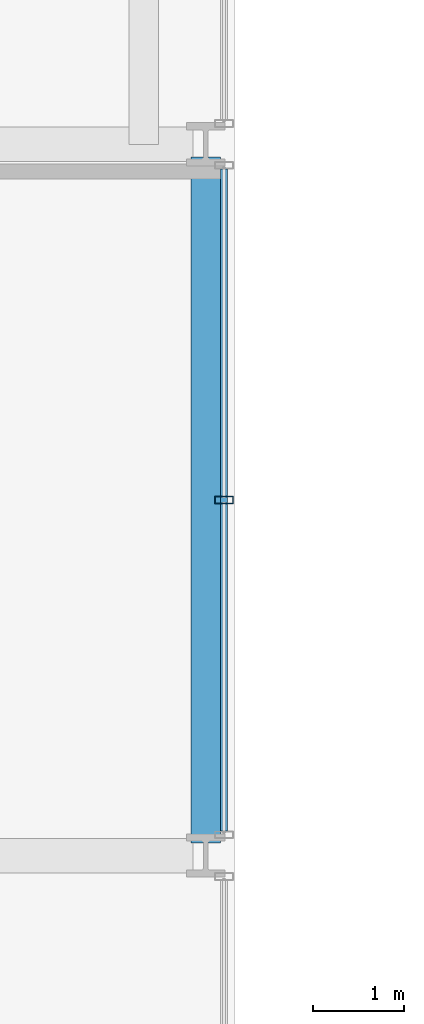
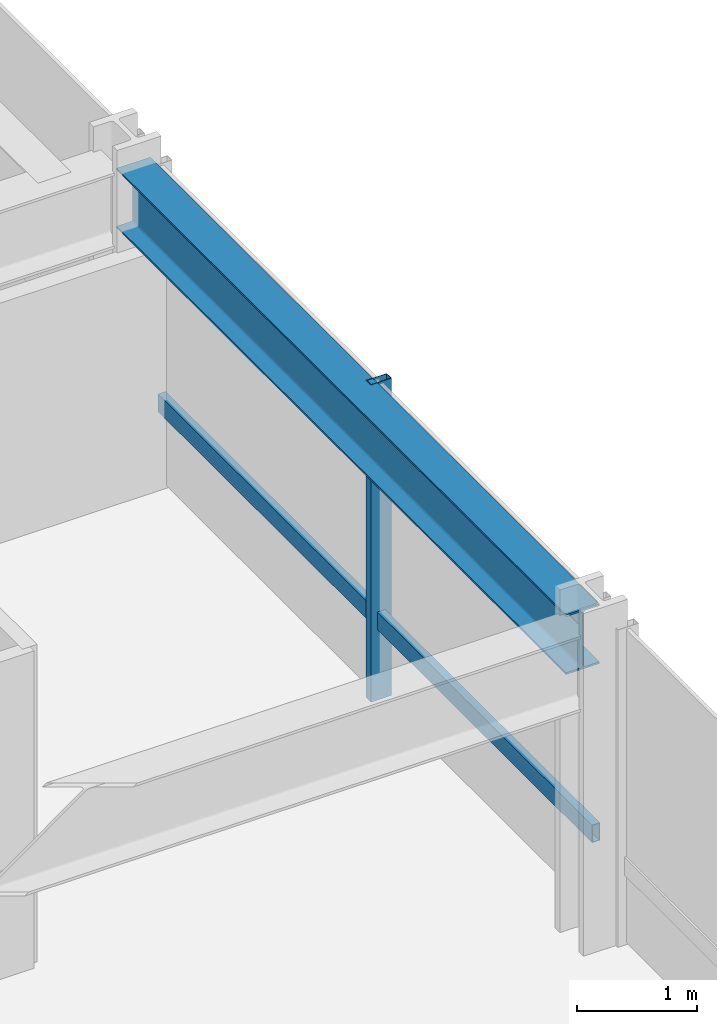
# One storey, part 14 of 38: 2 members, 1 beam, 1 element without a shape of its own.
"""IFC4 building model written with IfcOpenShell, lengths in metres."""

from ifc_helpers import new_model, si_unit, direction, frame, origin, origin_2d, place, context, subcontext, project, spatial, hollow_rectangle, i_section, extrude, material, layer, layer_set, material_profile, profile_set, type_object, element, aggregate, save


model = new_model("IFC4")

# Units and contexts
model_context = context("Model", 3, precision=1e-05, world=origin(), true_north=direction((0.0, 1.0)))
body_context = subcontext(model_context, "Body", "Model", "MODEL_VIEW")
ifc_project = project(units=[si_unit("LENGTHUNIT", "METRE"), si_unit("AREAUNIT", "SQUARE_METRE"), si_unit("VOLUMEUNIT", "CUBIC_METRE"), si_unit("PLANEANGLEUNIT", "RADIAN"), si_unit("MASSUNIT", "GRAM", prefix="KILO")], contexts=[model_context])

# Site, building, storey
site_placement = place(None, origin())
site = spatial("IfcSite", under=ifc_project, at=site_placement, CompositionType="ELEMENT")
building_placement = place(site_placement, origin())
building = spatial("IfcBuilding", under=site, at=building_placement, Name="Drelvath Grand Hotel", CompositionType="ELEMENT")
storey_placement = place(building_placement, frame((0.0, 0.0, 64.699951171875)))
storey = spatial("IfcBuildingStorey", under=building, at=storey_placement, Name="L15", CompositionType="ELEMENT", Elevation=64.699951171875)

# Curtain wall, members
ifc_material_1 = material(Name="Warm Bronze Anodised Aluminium Frame", Category="aluminium")
ifc_layer = layer(ifc_material_1, 0.199951171875)
ifc_layer_set = layer_set([ifc_layer], Name="Warm Bronze Anodised Aluminium Frame")
curtain_wall_type = type_object("IfcCurtainWallType", Name="Stick Curtain Wall CW-02 Warm Bronze Low-Rise", PredefinedType="NOTDEFINED", material=ifc_layer_set)
curtain_wall_placement = place(storey_placement, origin())
curtain_wall = element("IfcCurtainWall", 1, at=curtain_wall_placement, inside=storey, type_object=curtain_wall_type, Name="L15 CW-02 Curtain Wall CW02-L15-ES2", PredefinedType="NOTDEFINED")
ifc_material_profile_1 = material_profile(ifc_material_1, hollow_rectangle(XDim=0.074951171875, YDim=0.179931640625, WallThickness=0.0048828125, at=origin_2d()), Name="HSS180X75X5")
ifc_profile_set_1 = profile_set([ifc_material_profile_1], Name="Warm Bronze Anodised Aluminium Frame")
member_type_1 = type_object("IfcMemberType", Name="Curtain Wall Horizontal Transom CW-02 HSS180X75X5", PredefinedType="USERDEFINED", material=ifc_profile_set_1)
member_1_placement = place(storey_placement, frame((26.8798828125, 18.330810546875, 0.81005859375), z_axis=(0.0, -1.0, 0.0), x_axis=(1.0, 0.0, 0.0)))
member_1 = element("IfcMember", 2, at=member_1_placement, type_object=member_type_1, Name="CW02-L15-ES2 Sill Transom", ObjectType="TRANSOM", PredefinedType="USERDEFINED", context=body_context, shape_type="SweptSolid", body=[
    extrude(hollow_rectangle(XDim=0.074951171875, YDim=0.179931640625, WallThickness=0.0048828125, at=origin_2d()), origin(), (0.0, 0.0, 1.0), 7.26171875),
])
ifc_material_profile_2 = material_profile(ifc_material_1, hollow_rectangle(XDim=0.080078125, YDim=0.199951171875, WallThickness=0.0048828125, at=origin_2d()), Name="HSS200X80X5")
ifc_profile_set_2 = profile_set([ifc_material_profile_2], Name="Warm Bronze Anodised Aluminium Frame")
member_type_2 = type_object("IfcMemberType", Name="Curtain Wall Vertical Mullion CW-02 HSS200X80X5", PredefinedType="MULLION", material=ifc_profile_set_2)
member_2_placement = place(storey_placement, frame((26.8798828125, 14.699951171875, 0.0), z_axis=(0.0, 0.0, 1.0), x_axis=(0.0, 1.0, 0.0)))
member_2 = element("IfcMember", 3, at=member_2_placement, type_object=member_type_2, Name="CW02-L15-ES2 Mullion 2", PredefinedType="MULLION", context=body_context, shape_type="SweptSolid", body=[
    extrude(hollow_rectangle(XDim=0.080078125, YDim=0.199951171875, WallThickness=0.0048828125, at=origin_2d()), origin(), (0.0, 0.0, 1.0), 3.239990234375),
])
aggregate(curtain_wall, [member_2, member_1])

# Beam
ifc_material_2 = material(Name="Steel ASTM A992 Gr 50", Category="steel")
ifc_material_profile_3 = material_profile(ifc_material_2, i_section(OverallWidth=0.323974609375, OverallDepth=0.611083984375, WebThickness=0.0126953125, FlangeThickness=0.01904296875, FilletRadius=0.02197265625, at=origin_2d()), Name="W24X104")
ifc_profile_set_3 = profile_set([ifc_material_profile_3], Name="Steel ASTM A992 Gr 50")
beam_type = type_object("IfcBeamType", Name="Perimeter Spandrel Beam W24X104", PredefinedType="SPANDREL", material=ifc_profile_set_3)
beam_placement = place(storey_placement, frame((26.679931640625, 10.93994140625, 2.9345703125), z_axis=(0.0, 1.0, 0.0), x_axis=(-1.0, 0.0, 0.0)))
element("IfcBeam", 4, at=beam_placement, inside=storey, type_object=beam_type, Name="L15 Spandrel East S", PredefinedType="SPANDREL", context=body_context, shape_type="SweptSolid", body=[
    extrude(i_section(OverallWidth=0.323974609375, OverallDepth=0.611083984375, WebThickness=0.0126953125, FlangeThickness=0.01904296875, FilletRadius=0.02197265625, at=origin_2d()), origin(), (0.0, 0.0, 1.0), 7.52001953125),
])

save(model, "model.ifc")
